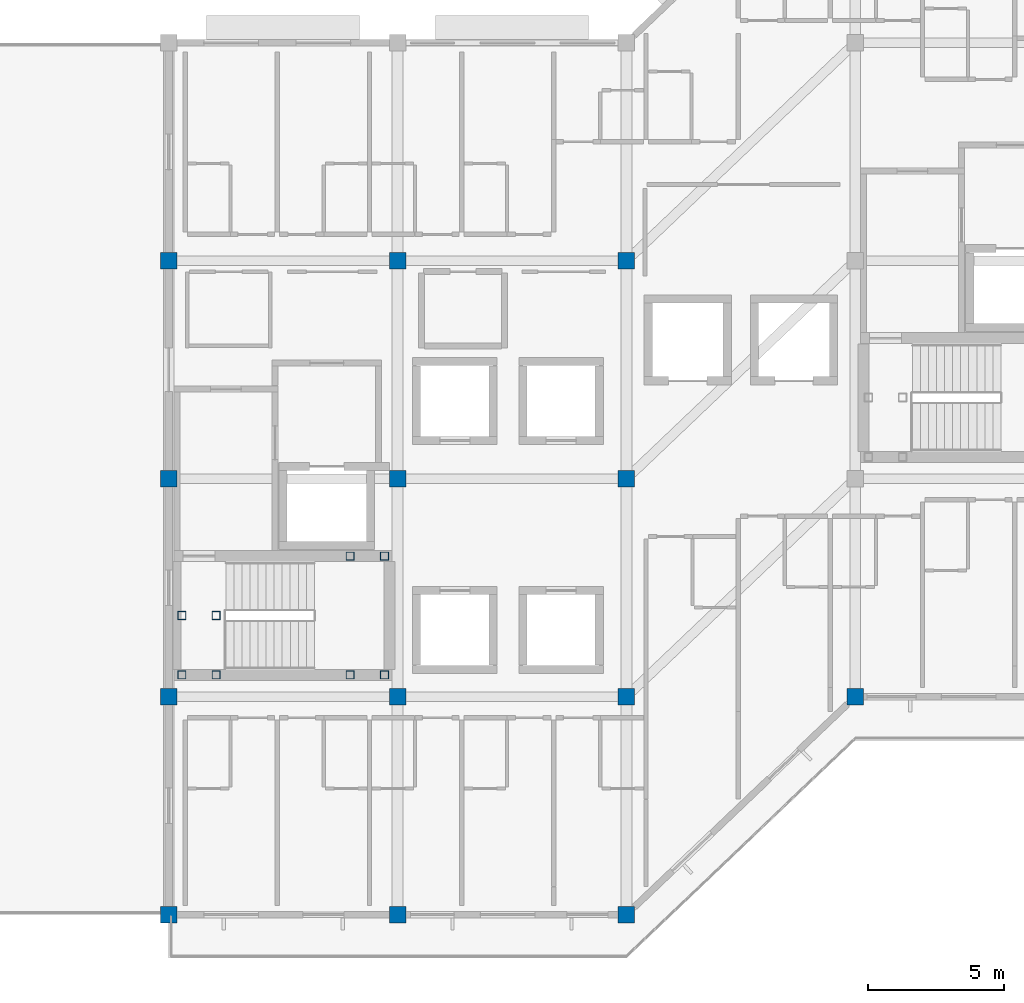
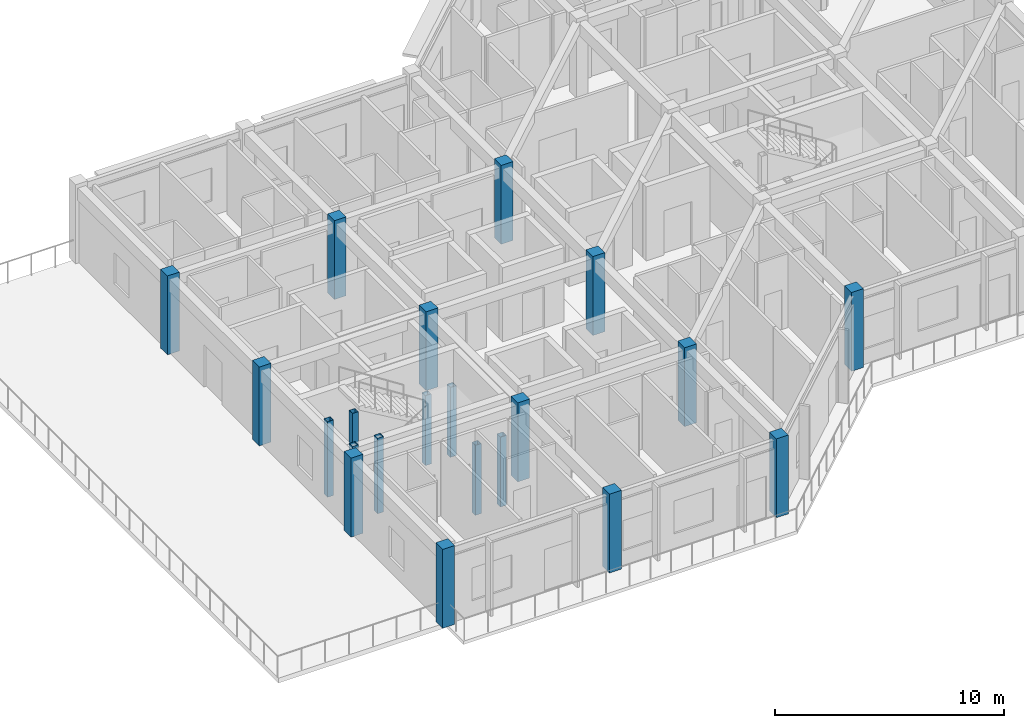
# One storey, part 1 of 13: 21 columns.
"""IFC4 building model written with IfcOpenShell, lengths in metres."""

import ifcopenshell
import ifcopenshell.guid

model = None  # the IFC model being written
_history = None  # IfcOwnerHistory: only IFC2X3 demands one
_inside = {}  # id of a spatial element -> (the spatial element, [elements in it])
_under = {}  # id of a project, library or spatial element -> (it, [spatial elements below it])
_declared = {}  # id of a project -> (the project, [libraries it declares])
_typed = {}  # id of a type object -> (the type object, [elements of that type])
_made_of = {}  # id of a material, layer set ... -> (it, [elements and type objects made of it])


def new_model(schema):
    """Start an empty IFC model of exactly this schema.

    Asked for "IFC4X3", IfcOpenShell would pick the latest addendum, in which some entities
    have other attributes; the version numbers below select the first issue.
    IFC2X3 requires an IfcOwnerHistory on every rooted entity: one is made here for all.
    """
    global model, _history
    if schema == "IFC4X3":
        model = ifcopenshell.file(schema_version=(4, 3, 0, 0))
    else:
        model = ifcopenshell.file(schema=schema)
    _inside.clear()
    _under.clear()
    _declared.clear()
    _typed.clear()
    _made_of.clear()
    _history = None
    if model.schema == "IFC2X3":
        org = make("IfcOrganization", Name="unknown")
        user = make(
            "IfcPersonAndOrganization",
            ThePerson=make("IfcPerson", FamilyName="unknown"),
            TheOrganization=org,
        )
        app = make(
            "IfcApplication",
            ApplicationDeveloper=org,
            Version="unknown",
            ApplicationFullName="unknown",
            ApplicationIdentifier="unknown",
        )
        _history = make(
            "IfcOwnerHistory",
            OwningUser=user,
            OwningApplication=app,
            ChangeAction="ADDED",
            CreationDate=0,
        )
    return model


def make(cls, **values):
    """One entity of the class cls with the attributes given. An attribute that is None is left unset."""
    return model.create_entity(
        cls, **{name: value for name, value in values.items() if value is not None}
    )


def rooted(cls, **values):
    """An entity with a GlobalId (a new one), such as an element, a storey or a relation."""
    return make(cls, GlobalId=ifcopenshell.guid.new(), OwnerHistory=_history, **values)


def si_unit(unit_type, name, prefix=None):
    """IfcSIUnit, for example si_unit("LENGTHUNIT", "METRE", prefix="MILLI")."""
    return make("IfcSIUnit", UnitType=unit_type, Prefix=prefix, Name=name)


def assignment(units):
    """IfcUnitAssignment: the units of a project."""
    return None if units is None else make("IfcUnitAssignment", Units=units)


def point(xyz):
    """IfcCartesianPoint."""
    return None if xyz is None else make("IfcCartesianPoint", Coordinates=xyz)


def direction(xyz):
    """IfcDirection."""
    return None if xyz is None else make("IfcDirection", DirectionRatios=xyz)


def frame(location, z_axis=None, x_axis=None):
    """IfcAxis2Placement3D, a coordinate frame: its origin and axes. An axis left out is left unset."""
    return make(
        "IfcAxis2Placement3D",
        Location=point(location),
        Axis=direction(z_axis),
        RefDirection=direction(x_axis),
    )


def frame_2d(location, x_axis=None):
    """IfcAxis2Placement2D, a coordinate frame in the plane: its origin and x axis."""
    return make(
        "IfcAxis2Placement2D", Location=point(location), RefDirection=direction(x_axis)
    )


def origin():
    """The frame at (0, 0, 0) with its axes left unset."""
    return frame((0.0, 0.0, 0.0))


def origin_2d():
    """The frame at (0, 0) in the plane with its x axis left unset."""
    return frame_2d((0.0, 0.0))


def place(relative_to, where):
    """IfcLocalPlacement: puts the frame where relative to a parent placement (None: the world)."""
    return make(
        "IfcLocalPlacement", PlacementRelTo=relative_to, RelativePlacement=where
    )


def context(
    kind, dimensions, precision=None, world=None, true_north=None, identifier=None
):
    """IfcGeometricRepresentationContext, for example the 3D "Model" context."""
    return make(
        "IfcGeometricRepresentationContext",
        ContextIdentifier=identifier,
        ContextType=kind,
        CoordinateSpaceDimension=dimensions,
        Precision=precision,
        WorldCoordinateSystem=world,
        TrueNorth=true_north,
    )


def subcontext(parent, identifier, kind, view, scale=None):
    """IfcGeometricRepresentationSubContext, for example "Body" below "Model"."""
    return make(
        "IfcGeometricRepresentationSubContext",
        ContextIdentifier=identifier,
        ContextType=kind,
        ParentContext=parent,
        TargetScale=scale,
        TargetView=view,
    )


def project(units=None, contexts=None):
    """IfcProject with its units and contexts."""
    return rooted(
        "IfcProject",
        Name="project",
        RepresentationContexts=contexts,
        UnitsInContext=assignment(units),
    )


def spatial(cls, under=None, at=None, **own):
    """A site, building, storey or space (cls), placed at a placement, below another one or the project."""
    s = rooted(cls, ObjectPlacement=at, **own)
    if under is not None:
        _under.setdefault(under.id(), (under, []))[1].append(s)
    return s


def profile(cls, at=None, kind="AREA", **sizes):
    """A parametric profile (cls). Its sizes go by their IFC names, for example OverallWidth=200.0."""
    return make(cls, ProfileType=kind, Position=at, **sizes)


def rectangle(**sizes):
    """IfcRectangleProfileDef."""
    return profile("IfcRectangleProfileDef", **sizes)


def hollow_rectangle(**sizes):
    """IfcRectangleHollowProfileDef."""
    return profile("IfcRectangleHollowProfileDef", **sizes)


def extrude(swept, where, along, depth):
    """IfcExtrudedAreaSolid: the profile swept, set in the frame where, extruded along a direction by depth."""
    return make(
        "IfcExtrudedAreaSolid",
        SweptArea=swept,
        Position=where,
        ExtrudedDirection=direction(along),
        Depth=depth,
    )


def shape(context_of_items, identifier, shape_type, items):
    """IfcShapeRepresentation: the items that make up one representation, for example the "Body"."""
    return make(
        "IfcShapeRepresentation",
        ContextOfItems=context_of_items,
        RepresentationIdentifier=identifier,
        RepresentationType=shape_type,
        Items=items,
    )


def material(Name=None, Category=None):
    """IfcMaterial."""
    return make("IfcMaterial", Name=Name, Category=Category)


def material_profile(
    of_material, cross_section, Name=None, Category=None, Priority=None
):
    """IfcMaterialProfile: a cross section and its material."""
    return make(
        "IfcMaterialProfile",
        Name=Name,
        Material=of_material,
        Profile=cross_section,
        Priority=Priority,
        Category=Category,
    )


def profile_set(profiles, Name=None, composite=None):
    """IfcMaterialProfileSet."""
    return make(
        "IfcMaterialProfileSet",
        Name=Name,
        MaterialProfiles=profiles,
        CompositeProfile=composite,
    )


def made_of(thing, what):
    """Note that an element or type object is made of a material, layer set ...; save() writes the relation."""
    if what is not None:
        _made_of.setdefault(what.id(), (what, []))[1].append(thing)
    return thing


def type_object(cls, material=None, **own):
    """A type object (cls), such as IfcWallType, which elements share."""
    return made_of(rooted(cls, **own), material)


def element(
    cls,
    number,
    at=None,
    inside=None,
    cuts=None,
    type_object=None,
    material=None,
    context=None,
    identifier="Body",
    shape_type=None,
    held_by="IfcProductDefinitionShape",
    body=None,
    shapes=None,
    **own,
):
    """One element of the class cls, such as IfcWall. Its Tag is "e" and its number.

    at: its placement. inside: the storey or other place that contains it. cuts: it is an
    opening in that element (IfcRelVoidsElement). A single representation is given by context,
    identifier, shape_type and body (its items); several are given by shapes. held_by: the class
    of the entity that holds the representations. save() writes the other relations.
    """
    e = rooted(cls, Tag="e%d" % number, ObjectPlacement=at, **own)
    if body is not None:
        shapes = [shape(context, identifier, shape_type, body)]
    if shapes is not None:
        e.Representation = make(held_by, Representations=shapes)
    if inside is not None:
        _inside.setdefault(inside.id(), (inside, []))[1].append(e)
    if cuts is not None:
        rooted(
            "IfcRelVoidsElement", RelatingBuildingElement=cuts, RelatedOpeningElement=e
        )
    if type_object is not None:
        _typed.setdefault(type_object.id(), (type_object, []))[1].append(e)
    return made_of(e, material)


def aggregate(whole, parts):
    """IfcRelAggregates: a whole, such as a stair, and the parts it consists of."""
    return rooted("IfcRelAggregates", RelatingObject=whole, RelatedObjects=parts)


def save(model, path):
    """Write the relations noted so far, then the file.

    IfcRelAggregates (storeys below a building ...), IfcRelContainedInSpatialStructure (elements
    in a storey), IfcRelDefinesByType, IfcRelAssociatesMaterial and IfcRelDeclares: one each for
    every whole, place, type object, material and project.
    """
    for whole, parts in _under.values():
        aggregate(whole, parts)
    for where, things in _inside.values():
        rooted(
            "IfcRelContainedInSpatialStructure",
            RelatedElements=things,
            RelatingStructure=where,
        )
    for kind, things in _typed.values():
        rooted("IfcRelDefinesByType", RelatedObjects=things, RelatingType=kind)
    for what, things in _made_of.values():
        rooted("IfcRelAssociatesMaterial", RelatedObjects=things, RelatingMaterial=what)
    for by, libraries in _declared.values():
        rooted("IfcRelDeclares", RelatingContext=by, RelatedDefinitions=libraries)
    model.write(path)


model = new_model("IFC4")

# Units and contexts
model_context = context("Model", 3, precision=1e-05, world=origin(), true_north=direction((0.0, 1.0)))
body_context = subcontext(model_context, "Body", "Model", "MODEL_VIEW")
ifc_project = project(units=[si_unit("LENGTHUNIT", "METRE"), si_unit("AREAUNIT", "SQUARE_METRE"), si_unit("VOLUMEUNIT", "CUBIC_METRE"), si_unit("PLANEANGLEUNIT", "RADIAN"), si_unit("MASSUNIT", "GRAM", prefix="KILO")], contexts=[model_context])

# Site, building, storey
site_placement = place(None, origin())
site = spatial("IfcSite", under=ifc_project, at=site_placement, CompositionType="ELEMENT")
building_placement = place(site_placement, origin())
building = spatial("IfcBuilding", under=site, at=building_placement, Name="Naruveol Harbour Congress Hotel", CompositionType="ELEMENT")
storey_placement = place(building_placement, frame((0.0, 0.0, 43.199951171875)))
storey = spatial("IfcBuildingStorey", under=building, at=storey_placement, Name="L10", CompositionType="ELEMENT", Elevation=43.199951171875)

# Columns
ifc_material_1 = material(Name="Concrete C40/50", Category="concrete")
ifc_material_profile_1 = material_profile(ifc_material_1, rectangle(XDim=0.60009765625, YDim=0.60009765625, at=origin_2d()), Name="RC-600x600")
ifc_profile_set_1 = profile_set([ifc_material_profile_1], Name="Concrete C40/50")
column_type_1 = type_object("IfcColumnType", Name="RC UPPER COLUMN 600X600", PredefinedType="COLUMN", material=ifc_profile_set_1)
for number, where, z_axis, x_axis, name in (
    (1, (126.0, 0.0, 0.0), (0.0, 0.0, 1.0), (1.0, 0.0, 0.0), "Column C-600 L10 (126.0,0.0)"),
    (2, (126.0, 16.0, 0.0), (0.0, 0.0, 1.0), (1.0, 0.0, 0.0), "Column C-600 L10 (126.0,16.0)"),
    (3, (134.39990234375, 0.0, 0.0), (0.0, 0.0, 1.0), (1.0, 0.0, 0.0), "Column C-600 L10 (134.4,0.0)"),
    (4, (134.39990234375, 16.0, 0.0), (0.0, 0.0, 1.0), (1.0, 0.0, 0.0), "Column C-600 L10 (134.4,16.0)"),
    (5, (142.800048828125, 0.0, 0.0), (0.0, 0.0, 1.0), (1.0, 0.0, 0.0), "Column C-600 L10 (142.8,0.0)"),
    (6, (142.800048828125, 16.0, 0.0), (0.0, 0.0, 1.0), (1.0, 0.0, 0.0), "Column C-600 L10 (142.8,16.0)"),
    (7, (151.199951171875, 8.0, 0.0), (0.0, 0.0, 1.0), (1.0, 0.0, 0.0), "Column C-600 L10 (151.2,8.0)"),
    (8, (126.0, 8.0, 0.0), (0.0, 0.0, 1.0), (1.0, 0.0, 0.0), "Planted hotel column C-600 L10 S1/J1"),
    (9, (126.0, 24.0, 0.0), (0.0, 0.0, 1.0), (1.0, 0.0, 0.0), "Planted hotel column C-600 L10 S1/J3"),
    (10, (134.39990234375, 8.0, 0.0), (0.0, 0.0, 1.0), (1.0, 0.0, 0.0), "Planted hotel column C-600 L10 S2/J1"),
    (11, (134.39990234375, 24.0, 0.0), (0.0, 0.0, 1.0), (1.0, 0.0, 0.0), "Planted hotel column C-600 L10 S2/J3"),
    (12, (142.800048828125, 8.0, 0.0), (0.0, 0.0, 1.0), (1.0, 0.0, 0.0), "Planted hotel column C-600 L10 S3/J1"),
    (13, (142.800048828125, 24.0, 0.0), (0.0, 0.0, 1.0), (1.0, 0.0, 0.0), "Planted hotel column C-600 L10 S3/J3"),
):
    element("IfcColumn", number, at=place(storey_placement, frame(where, z_axis=z_axis, x_axis=x_axis)), inside=storey, type_object=column_type_1, Name=name, PredefinedType="COLUMN", context=body_context, shape_type="SweptSolid", body=[
        extrude(rectangle(XDim=0.60009765625, YDim=0.60009765625, at=origin_2d()), origin(), (0.0, 0.0, 1.0), 4.199951171875),
    ])
ifc_material_2 = material(Name="Steel SN490", Category="steel")
ifc_material_profile_2 = material_profile(ifc_material_2, hollow_rectangle(XDim=0.300048828125, YDim=0.300048828125, WallThickness=0.011962890625, at=origin_2d()), Name="SHS-300x300x12")
ifc_profile_set_2 = profile_set([ifc_material_profile_2], Name="Steel SN490")
column_type_2 = type_object("IfcColumnType", Name="STEEL COLONNADE POST SHS300", PredefinedType="COLUMN", material=ifc_profile_set_2)
for number, where, z_axis, x_axis, name in (
    (14, (126.47998046875, 8.800048828125, 0.0), (0.0, 0.0, 1.0), (1.0, 0.0, 0.0), "Stair landing support post ST1W #12"),
    (15, (126.47998046875, 10.97998046875, 0.0), (0.0, 0.0, 1.0), (1.0, 0.0, 0.0), "Stair landing support post ST1W #24"),
    (16, (127.739990234375, 8.800048828125, 0.0), (0.0, 0.0, 1.0), (1.0, 0.0, 0.0), "Stair landing support post ST1W #36"),
    (17, (127.739990234375, 10.97998046875, 0.0), (0.0, 0.0, 1.0), (1.0, 0.0, 0.0), "Stair landing support post ST1W #48"),
):
    element("IfcColumn", number, at=place(storey_placement, frame(where, z_axis=z_axis, x_axis=x_axis)), inside=storey, type_object=column_type_2, Name=name, PredefinedType="COLUMN", context=body_context, shape_type="SweptSolid", body=[
        extrude(hollow_rectangle(XDim=0.300048828125, YDim=0.300048828125, WallThickness=0.011962890625, at=origin_2d()), origin(), (0.0, 0.0, 1.0), 4.02001953125),
    ])
for number, where, z_axis, x_axis, name in (
    (18, (132.659912109375, 8.800048828125, -1.800048828125), (0.0, 0.0, 1.0), (1.0, 0.0, 0.0), "Stair landing support post ST1E #60"),
    (19, (132.659912109375, 13.159912109375, -1.800048828125), (0.0, 0.0, 1.0), (1.0, 0.0, 0.0), "Stair landing support post ST1E #72"),
    (20, (133.919921875, 8.800048828125, -1.800048828125), (0.0, 0.0, 1.0), (1.0, 0.0, 0.0), "Stair landing support post ST1E #84"),
    (21, (133.919921875, 13.159912109375, -1.800048828125), (0.0, 0.0, 1.0), (1.0, 0.0, 0.0), "Stair landing support post ST1E #96"),
):
    element("IfcColumn", number, at=place(storey_placement, frame(where, z_axis=z_axis, x_axis=x_axis)), inside=storey, type_object=column_type_2, Name=name, PredefinedType="COLUMN", context=body_context, shape_type="SweptSolid", body=[
        extrude(hollow_rectangle(XDim=0.300048828125, YDim=0.300048828125, WallThickness=0.011962890625, at=origin_2d()), origin(), (0.0, 0.0, 1.0), 3.72021484375),
    ])

save(model, "model.ifc")
